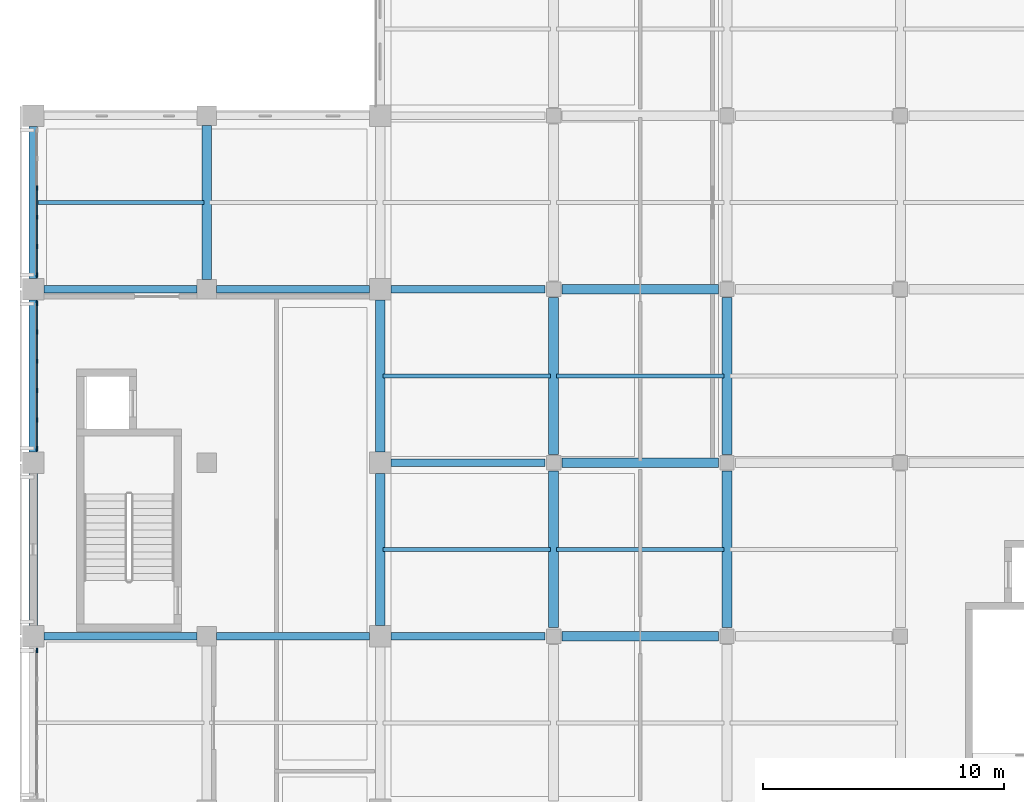
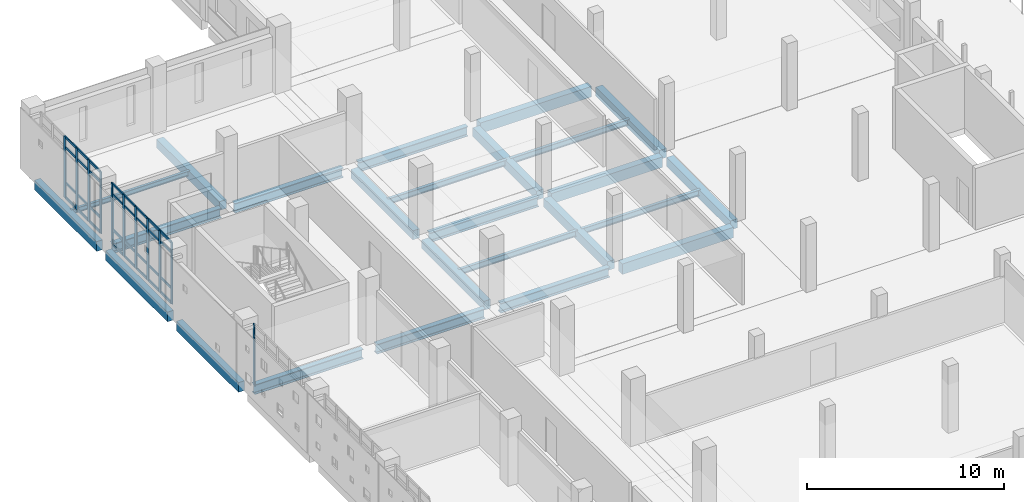
# One storey, part 23 of 62: 43 members, 25 beams, 3 elements without a shape of their own.
"""IFC4 building model written with IfcOpenShell, lengths in metres."""

import ifcopenshell
import ifcopenshell.guid

model = None  # the IFC model being written
_history = None  # IfcOwnerHistory: only IFC2X3 demands one
_inside = {}  # id of a spatial element -> (the spatial element, [elements in it])
_under = {}  # id of a project, library or spatial element -> (it, [spatial elements below it])
_declared = {}  # id of a project -> (the project, [libraries it declares])
_typed = {}  # id of a type object -> (the type object, [elements of that type])
_made_of = {}  # id of a material, layer set ... -> (it, [elements and type objects made of it])


def new_model(schema):
    """Start an empty IFC model of exactly this schema.

    Asked for "IFC4X3", IfcOpenShell would pick the latest addendum, in which some entities
    have other attributes; the version numbers below select the first issue.
    IFC2X3 requires an IfcOwnerHistory on every rooted entity: one is made here for all.
    """
    global model, _history
    if schema == "IFC4X3":
        model = ifcopenshell.file(schema_version=(4, 3, 0, 0))
    else:
        model = ifcopenshell.file(schema=schema)
    _inside.clear()
    _under.clear()
    _declared.clear()
    _typed.clear()
    _made_of.clear()
    _history = None
    if model.schema == "IFC2X3":
        org = make("IfcOrganization", Name="unknown")
        user = make(
            "IfcPersonAndOrganization",
            ThePerson=make("IfcPerson", FamilyName="unknown"),
            TheOrganization=org,
        )
        app = make(
            "IfcApplication",
            ApplicationDeveloper=org,
            Version="unknown",
            ApplicationFullName="unknown",
            ApplicationIdentifier="unknown",
        )
        _history = make(
            "IfcOwnerHistory",
            OwningUser=user,
            OwningApplication=app,
            ChangeAction="ADDED",
            CreationDate=0,
        )
    return model


def make(cls, **values):
    """One entity of the class cls with the attributes given. An attribute that is None is left unset."""
    return model.create_entity(
        cls, **{name: value for name, value in values.items() if value is not None}
    )


def rooted(cls, **values):
    """An entity with a GlobalId (a new one), such as an element, a storey or a relation."""
    return make(cls, GlobalId=ifcopenshell.guid.new(), OwnerHistory=_history, **values)


def si_unit(unit_type, name, prefix=None):
    """IfcSIUnit, for example si_unit("LENGTHUNIT", "METRE", prefix="MILLI")."""
    return make("IfcSIUnit", UnitType=unit_type, Prefix=prefix, Name=name)


def assignment(units):
    """IfcUnitAssignment: the units of a project."""
    return None if units is None else make("IfcUnitAssignment", Units=units)


def point(xyz):
    """IfcCartesianPoint."""
    return None if xyz is None else make("IfcCartesianPoint", Coordinates=xyz)


def direction(xyz):
    """IfcDirection."""
    return None if xyz is None else make("IfcDirection", DirectionRatios=xyz)


def frame(location, z_axis=None, x_axis=None):
    """IfcAxis2Placement3D, a coordinate frame: its origin and axes. An axis left out is left unset."""
    return make(
        "IfcAxis2Placement3D",
        Location=point(location),
        Axis=direction(z_axis),
        RefDirection=direction(x_axis),
    )


def frame_2d(location, x_axis=None):
    """IfcAxis2Placement2D, a coordinate frame in the plane: its origin and x axis."""
    return make(
        "IfcAxis2Placement2D", Location=point(location), RefDirection=direction(x_axis)
    )


def origin():
    """The frame at (0, 0, 0) with its axes left unset."""
    return frame((0.0, 0.0, 0.0))


def origin_2d():
    """The frame at (0, 0) in the plane with its x axis left unset."""
    return frame_2d((0.0, 0.0))


def place(relative_to, where):
    """IfcLocalPlacement: puts the frame where relative to a parent placement (None: the world)."""
    return make(
        "IfcLocalPlacement", PlacementRelTo=relative_to, RelativePlacement=where
    )


def context(
    kind, dimensions, precision=None, world=None, true_north=None, identifier=None
):
    """IfcGeometricRepresentationContext, for example the 3D "Model" context."""
    return make(
        "IfcGeometricRepresentationContext",
        ContextIdentifier=identifier,
        ContextType=kind,
        CoordinateSpaceDimension=dimensions,
        Precision=precision,
        WorldCoordinateSystem=world,
        TrueNorth=true_north,
    )


def subcontext(parent, identifier, kind, view, scale=None):
    """IfcGeometricRepresentationSubContext, for example "Body" below "Model"."""
    return make(
        "IfcGeometricRepresentationSubContext",
        ContextIdentifier=identifier,
        ContextType=kind,
        ParentContext=parent,
        TargetScale=scale,
        TargetView=view,
    )


def project(units=None, contexts=None):
    """IfcProject with its units and contexts."""
    return rooted(
        "IfcProject",
        Name="project",
        RepresentationContexts=contexts,
        UnitsInContext=assignment(units),
    )


def spatial(cls, under=None, at=None, **own):
    """A site, building, storey or space (cls), placed at a placement, below another one or the project."""
    s = rooted(cls, ObjectPlacement=at, **own)
    if under is not None:
        _under.setdefault(under.id(), (under, []))[1].append(s)
    return s


def profile(cls, at=None, kind="AREA", **sizes):
    """A parametric profile (cls). Its sizes go by their IFC names, for example OverallWidth=200.0."""
    return make(cls, ProfileType=kind, Position=at, **sizes)


def rectangle(**sizes):
    """IfcRectangleProfileDef."""
    return profile("IfcRectangleProfileDef", **sizes)


def i_section(**sizes):
    """IfcIShapeProfileDef."""
    return profile("IfcIShapeProfileDef", **sizes)


def extrude(swept, where, along, depth):
    """IfcExtrudedAreaSolid: the profile swept, set in the frame where, extruded along a direction by depth."""
    return make(
        "IfcExtrudedAreaSolid",
        SweptArea=swept,
        Position=where,
        ExtrudedDirection=direction(along),
        Depth=depth,
    )


def shape(context_of_items, identifier, shape_type, items):
    """IfcShapeRepresentation: the items that make up one representation, for example the "Body"."""
    return make(
        "IfcShapeRepresentation",
        ContextOfItems=context_of_items,
        RepresentationIdentifier=identifier,
        RepresentationType=shape_type,
        Items=items,
    )


def material(Name=None, Category=None):
    """IfcMaterial."""
    return make("IfcMaterial", Name=Name, Category=Category)


def layer(
    of_material, thickness, ventilated=None, Name=None, Category=None, Priority=None
):
    """IfcMaterialLayer: one layer of a wall or slab, of a material (None: an air gap)."""
    return make(
        "IfcMaterialLayer",
        Material=of_material,
        LayerThickness=thickness,
        IsVentilated=ventilated,
        Name=Name,
        Category=Category,
        Priority=Priority,
    )


def layer_set(layers, Name=None):
    """IfcMaterialLayerSet."""
    return make("IfcMaterialLayerSet", MaterialLayers=layers, LayerSetName=Name)


def material_profile(
    of_material, cross_section, Name=None, Category=None, Priority=None
):
    """IfcMaterialProfile: a cross section and its material."""
    return make(
        "IfcMaterialProfile",
        Name=Name,
        Material=of_material,
        Profile=cross_section,
        Priority=Priority,
        Category=Category,
    )


def profile_set(profiles, Name=None, composite=None):
    """IfcMaterialProfileSet."""
    return make(
        "IfcMaterialProfileSet",
        Name=Name,
        MaterialProfiles=profiles,
        CompositeProfile=composite,
    )


def made_of(thing, what):
    """Note that an element or type object is made of a material, layer set ...; save() writes the relation."""
    if what is not None:
        _made_of.setdefault(what.id(), (what, []))[1].append(thing)
    return thing


def type_object(cls, material=None, **own):
    """A type object (cls), such as IfcWallType, which elements share."""
    return made_of(rooted(cls, **own), material)


def element(
    cls,
    number,
    at=None,
    inside=None,
    cuts=None,
    type_object=None,
    material=None,
    context=None,
    identifier="Body",
    shape_type=None,
    held_by="IfcProductDefinitionShape",
    body=None,
    shapes=None,
    **own,
):
    """One element of the class cls, such as IfcWall. Its Tag is "e" and its number.

    at: its placement. inside: the storey or other place that contains it. cuts: it is an
    opening in that element (IfcRelVoidsElement). A single representation is given by context,
    identifier, shape_type and body (its items); several are given by shapes. held_by: the class
    of the entity that holds the representations. save() writes the other relations.
    """
    e = rooted(cls, Tag="e%d" % number, ObjectPlacement=at, **own)
    if body is not None:
        shapes = [shape(context, identifier, shape_type, body)]
    if shapes is not None:
        e.Representation = make(held_by, Representations=shapes)
    if inside is not None:
        _inside.setdefault(inside.id(), (inside, []))[1].append(e)
    if cuts is not None:
        rooted(
            "IfcRelVoidsElement", RelatingBuildingElement=cuts, RelatedOpeningElement=e
        )
    if type_object is not None:
        _typed.setdefault(type_object.id(), (type_object, []))[1].append(e)
    return made_of(e, material)


def aggregate(whole, parts):
    """IfcRelAggregates: a whole, such as a stair, and the parts it consists of."""
    return rooted("IfcRelAggregates", RelatingObject=whole, RelatedObjects=parts)


def save(model, path):
    """Write the relations noted so far, then the file.

    IfcRelAggregates (storeys below a building ...), IfcRelContainedInSpatialStructure (elements
    in a storey), IfcRelDefinesByType, IfcRelAssociatesMaterial and IfcRelDeclares: one each for
    every whole, place, type object, material and project.
    """
    for whole, parts in _under.values():
        aggregate(whole, parts)
    for where, things in _inside.values():
        rooted(
            "IfcRelContainedInSpatialStructure",
            RelatedElements=things,
            RelatingStructure=where,
        )
    for kind, things in _typed.values():
        rooted("IfcRelDefinesByType", RelatedObjects=things, RelatingType=kind)
    for what, things in _made_of.values():
        rooted("IfcRelAssociatesMaterial", RelatedObjects=things, RelatingMaterial=what)
    for by, libraries in _declared.values():
        rooted("IfcRelDeclares", RelatingContext=by, RelatedDefinitions=libraries)
    model.write(path)


model = new_model("IFC4")

# Units and contexts
model_context = context("Model", 3, precision=1e-05, world=origin(), true_north=direction((0.0, 1.0)))
body_context = subcontext(model_context, "Body", "Model", "MODEL_VIEW")
ifc_project = project(units=[si_unit("LENGTHUNIT", "METRE"), si_unit("AREAUNIT", "SQUARE_METRE"), si_unit("VOLUMEUNIT", "CUBIC_METRE"), si_unit("PLANEANGLEUNIT", "RADIAN"), si_unit("MASSUNIT", "GRAM", prefix="KILO")], contexts=[model_context])

# Site, building, storey
site_placement = place(None, origin())
site = spatial("IfcSite", under=ifc_project, at=site_placement, CompositionType="ELEMENT")
building_placement = place(site_placement, origin())
building = spatial("IfcBuilding", under=site, at=building_placement, Name="Valkovuoma Quantum and Materials Research Institute", CompositionType="ELEMENT")
storey_placement = place(building_placement, frame((0.0, 0.0, 13.1201171875)))
storey = spatial("IfcBuildingStorey", under=building, at=storey_placement, Name="L03", CompositionType="ELEMENT", Elevation=13.1201171875)

# Beams
ifc_material_1 = material(Name="Steel S355J2", Category="steel")
ifc_material_profile_1 = material_profile(ifc_material_1, i_section(OverallWidth=0.300048828125, OverallDepth=0.60009765625, WebThickness=0.015380859375, FlangeThickness=0.030029296875, FilletRadius=0.027099609375, at=origin_2d()), Name="Steel S355J2")
ifc_profile_set_1 = profile_set([ifc_material_profile_1], Name="Steel S355J2")
beam_type_1 = type_object("IfcBeamType", Name="Beam-B-HEB600", PredefinedType="BEAM", material=ifc_profile_set_1)
beam_1_placement = place(storey_placement, frame((0.449951171875, 72.0, -0.650146484375), z_axis=(1.0, 0.0, 0.0), x_axis=(0.0, 1.0, 0.0)))
element("IfcBeam", 1, at=beam_1_placement, inside=storey, type_object=beam_type_1, Name="L03 beam X-1501", PredefinedType="BEAM", context=body_context, shape_type="SweptSolid", body=[
    extrude(i_section(OverallWidth=0.300048828125, OverallDepth=0.60009765625, WebThickness=0.015380859375, FlangeThickness=0.030029296875, FilletRadius=0.027099609375, at=origin_2d()), origin(), (0.0, 0.0, 1.0), 6.35009765625),
])
beam_2_placement = place(storey_placement, frame((7.60009765625, 72.0, -0.650146484375), z_axis=(1.0, 0.0, 0.0), x_axis=(0.0, 1.0, 0.0)))
element("IfcBeam", 2, at=beam_2_placement, inside=storey, type_object=beam_type_1, Name="L03 beam X-1502", PredefinedType="BEAM", context=body_context, shape_type="SweptSolid", body=[
    extrude(i_section(OverallWidth=0.300048828125, OverallDepth=0.60009765625, WebThickness=0.015380859375, FlangeThickness=0.030029296875, FilletRadius=0.027099609375, at=origin_2d()), origin(), (0.0, 0.0, 1.0), 6.349853515625),
])
for number, where, z_axis, x_axis, name in (
    (3, (14.85009765625, 72.0, -0.650146484375), (1.0, 0.0, 0.0), (0.0, 1.0, 0.0), "L03 beam X-1503"),
    (4, (14.85009765625, 79.199951171875, -0.650146484375), (1.0, 0.0, 0.0), (0.0, 1.0, 0.0), "L03 beam X-1511"),
):
    element("IfcBeam", number, at=place(storey_placement, frame(where, z_axis=z_axis, x_axis=x_axis)), inside=storey, type_object=beam_type_1, Name=name, PredefinedType="BEAM", context=body_context, shape_type="SweptSolid", body=[
        extrude(i_section(OverallWidth=0.300048828125, OverallDepth=0.60009765625, WebThickness=0.015380859375, FlangeThickness=0.030029296875, FilletRadius=0.027099609375, at=origin_2d()), origin(), (0.0, 0.0, 1.0), 6.39990234375),
    ])
beam_3_placement = place(storey_placement, frame((0.449951171875, 86.39990234375, -0.650146484375), z_axis=(1.0, 0.0, 0.0), x_axis=(0.0, 1.0, 0.0)))
element("IfcBeam", 5, at=beam_3_placement, inside=storey, type_object=beam_type_1, Name="L03 beam X-1521", PredefinedType="BEAM", context=body_context, shape_type="SweptSolid", body=[
    extrude(i_section(OverallWidth=0.300048828125, OverallDepth=0.60009765625, WebThickness=0.015380859375, FlangeThickness=0.030029296875, FilletRadius=0.027099609375, at=origin_2d()), origin(), (0.0, 0.0, 1.0), 6.35009765625),
])
beam_4_placement = place(storey_placement, frame((7.60009765625, 86.39990234375, -0.650146484375), z_axis=(1.0, 0.0, 0.0), x_axis=(0.0, 1.0, 0.0)))
element("IfcBeam", 6, at=beam_4_placement, inside=storey, type_object=beam_type_1, Name="L03 beam X-1522", PredefinedType="BEAM", context=body_context, shape_type="SweptSolid", body=[
    extrude(i_section(OverallWidth=0.300048828125, OverallDepth=0.60009765625, WebThickness=0.015380859375, FlangeThickness=0.030029296875, FilletRadius=0.027099609375, at=origin_2d()), origin(), (0.0, 0.0, 1.0), 6.349853515625),
])
beam_5_placement = place(storey_placement, frame((14.85009765625, 86.39990234375, -0.650146484375), z_axis=(1.0, 0.0, 0.0), x_axis=(0.0, 1.0, 0.0)))
element("IfcBeam", 7, at=beam_5_placement, inside=storey, type_object=beam_type_1, Name="L03 beam X-1523", PredefinedType="BEAM", context=body_context, shape_type="SweptSolid", body=[
    extrude(i_section(OverallWidth=0.300048828125, OverallDepth=0.60009765625, WebThickness=0.015380859375, FlangeThickness=0.030029296875, FilletRadius=0.027099609375, at=origin_2d()), origin(), (0.0, 0.0, 1.0), 6.39990234375),
])
ifc_material_2 = material(Name="Steel S355J2", Category="steel")
ifc_material_profile_2 = material_profile(ifc_material_2, i_section(OverallWidth=0.14990234375, OverallDepth=0.300048828125, WebThickness=0.007080078125, FlangeThickness=0.0107421875, FilletRadius=0.014892578125, at=origin_2d()), Name="Steel S355J2")
ifc_profile_set_2 = profile_set([ifc_material_profile_2], Name="Steel S355J2")
beam_type_2 = type_object("IfcBeamType", Name="Beam-B-JST300", PredefinedType="JOIST", material=ifc_profile_set_2)
beam_6_placement = place(storey_placement, frame((0.1201171875, 90.0, -0.5), z_axis=(1.0, 0.0, 0.0), x_axis=(0.0, 1.0, 0.0)))
element("IfcBeam", 8, at=beam_6_placement, inside=storey, type_object=beam_type_2, Name="L03 floor joist 1777", PredefinedType="JOIST", context=body_context, shape_type="SweptSolid", body=[
    extrude(i_section(OverallWidth=0.14990234375, OverallDepth=0.300048828125, WebThickness=0.007080078125, FlangeThickness=0.0107421875, FilletRadius=0.014892578125, at=origin_2d()), origin(), (0.0, 0.0, 1.0), 6.9599609375),
])
ifc_material_3 = material(Name="Steel S355J2", Category="steel")
ifc_material_profile_3 = material_profile(ifc_material_3, i_section(OverallWidth=0.169921875, OverallDepth=0.360107421875, WebThickness=0.008056640625, FlangeThickness=0.0126953125, FilletRadius=0.01806640625, at=origin_2d()), Name="Steel S355J2")
ifc_profile_set_3 = profile_set([ifc_material_profile_3], Name="Steel S355J2")
beam_type_3 = type_object("IfcBeamType", Name="Beam-B-JST360", PredefinedType="JOIST", material=ifc_profile_set_3)
for number, where, z_axis, x_axis, name in (
    (9, (14.52001953125, 75.60009765625, -0.530029296875), (1.0, 0.0, 0.0), (0.0, 1.0, 0.0), "L03 floor joist 1759"),
    (10, (21.719970703125, 75.60009765625, -0.530029296875), (1.0, 0.0, 0.0), (0.0, 1.0, 0.0), "L03 floor joist 1760"),
    (11, (14.52001953125, 82.800048828125, -0.530029296875), (1.0, 0.0, 0.0), (0.0, 1.0, 0.0), "L03 floor joist 1767"),
    (12, (21.719970703125, 82.800048828125, -0.530029296875), (1.0, 0.0, 0.0), (0.0, 1.0, 0.0), "L03 floor joist 1768"),
):
    element("IfcBeam", number, at=place(storey_placement, frame(where, z_axis=z_axis, x_axis=x_axis)), inside=storey, type_object=beam_type_3, Name=name, PredefinedType="JOIST", context=body_context, shape_type="SweptSolid", body=[
        extrude(i_section(OverallWidth=0.169921875, OverallDepth=0.360107421875, WebThickness=0.008056640625, FlangeThickness=0.0126953125, FilletRadius=0.01806640625, at=origin_2d()), origin(), (0.0, 0.0, 1.0), 6.9599609375),
    ])
ifc_material_4 = material(Name="Concrete C40/50", Category="concrete")
ifc_material_profile_4 = material_profile(ifc_material_4, rectangle(XDim=0.39990234375, YDim=0.550048828125, at=origin_2d()), Name="Concrete C40/50")
ifc_profile_set_4 = profile_set([ifc_material_profile_4], Name="Concrete C40/50")
beam_type_4 = type_object("IfcBeamType", Name="Beam-B-RC550", PredefinedType="BEAM", material=ifc_profile_set_4)
beam_7_placement = place(storey_placement, frame((7.199951171875, 86.800048828125, -0.625), z_axis=(0.0, 1.0, 0.0), x_axis=(-1.0, 0.0, 0.0)))
element("IfcBeam", 13, at=beam_7_placement, inside=storey, type_object=beam_type_4, Name="L03 beam Y-1577", PredefinedType="BEAM", context=body_context, shape_type="SweptSolid", body=[
    extrude(rectangle(XDim=0.39990234375, YDim=0.550048828125, at=origin_2d()), origin(), (0.0, 0.0, 1.0), 6.39990234375),
])
for number, where, z_axis, x_axis, name in (
    (14, (14.39990234375, 72.449951171875, -0.625), (0.0, 1.0, 0.0), (-1.0, 0.0, 0.0), "L03 beam Y-1580"),
    (15, (14.39990234375, 79.64990234375, -0.625), (0.0, 1.0, 0.0), (-1.0, 0.0, 0.0), "L03 beam Y-1581"),
):
    element("IfcBeam", number, at=place(storey_placement, frame(where, z_axis=z_axis, x_axis=x_axis)), inside=storey, type_object=beam_type_4, Name=name, PredefinedType="BEAM", context=body_context, shape_type="SweptSolid", body=[
        extrude(rectangle(XDim=0.39990234375, YDim=0.550048828125, at=origin_2d()), origin(), (0.0, 0.0, 1.0), 6.300048828125),
    ])
for number, where, z_axis, x_axis, name in (
    (16, (21.60009765625, 72.35009765625, -0.625), (0.0, 1.0, 0.0), (-1.0, 0.0, 0.0), "L03 beam Y-1590"),
    (17, (21.60009765625, 79.550048828125, -0.625), (0.0, 1.0, 0.0), (-1.0, 0.0, 0.0), "L03 beam Y-1591"),
    (18, (28.800048828125, 72.35009765625, -0.625), (0.0, 1.0, 0.0), (-1.0, 0.0, 0.0), "L03 beam Y-1600"),
    (19, (28.800048828125, 79.550048828125, -0.625), (0.0, 1.0, 0.0), (-1.0, 0.0, 0.0), "L03 beam Y-1601"),
):
    element("IfcBeam", number, at=place(storey_placement, frame(where, z_axis=z_axis, x_axis=x_axis)), inside=storey, type_object=beam_type_4, Name=name, PredefinedType="BEAM", context=body_context, shape_type="SweptSolid", body=[
        extrude(rectangle(XDim=0.39990234375, YDim=0.550048828125, at=origin_2d()), origin(), (0.0, 0.0, 1.0), 6.5),
    ])
ifc_material_5 = material(Name="Concrete C40/50", Category="concrete")
ifc_material_profile_5 = material_profile(ifc_material_5, rectangle(XDim=0.39990234375, YDim=0.64990234375, at=origin_2d()), Name="Concrete C40/50")
ifc_profile_set_5 = profile_set([ifc_material_profile_5], Name="Concrete C40/50")
beam_type_5 = type_object("IfcBeamType", Name="Beam-B-RC650", PredefinedType="BEAM", material=ifc_profile_set_5)
for number, where, z_axis, x_axis, name in (
    (20, (21.949951171875, 72.0, -0.675048828125), (1.0, 0.0, 0.0), (0.0, 1.0, 0.0), "L03 beam X-1504"),
    (21, (21.949951171875, 79.199951171875, -0.675048828125), (1.0, 0.0, 0.0), (0.0, 1.0, 0.0), "L03 beam X-1512"),
    (22, (21.949951171875, 86.39990234375, -0.675048828125), (1.0, 0.0, 0.0), (0.0, 1.0, 0.0), "L03 beam X-1524"),
):
    element("IfcBeam", number, at=place(storey_placement, frame(where, z_axis=z_axis, x_axis=x_axis)), inside=storey, type_object=beam_type_5, Name=name, PredefinedType="BEAM", context=body_context, shape_type="SweptSolid", body=[
        extrude(rectangle(XDim=0.39990234375, YDim=0.64990234375, at=origin_2d()), origin(), (0.0, 0.0, 1.0), 6.5),
    ])
ifc_material_6 = material(Name="Concrete C40/50", Category="concrete")
ifc_material_profile_6 = material_profile(ifc_material_6, rectangle(XDim=0.35009765625, YDim=0.60009765625, at=origin_2d()), Name="Concrete C40/50")
ifc_profile_set_6 = profile_set([ifc_material_profile_6], Name="Concrete C40/50")
beam_type_6 = type_object("IfcBeamType", Name="Beam-B-SPN600", PredefinedType="SPANDREL", material=ifc_profile_set_6)
for number, where, z_axis, x_axis, name in (
    (23, (0.0, 72.449951171875, -0.650146484375), (0.0, 1.0, 0.0), (-1.0, 0.0, 0.0), "L03 beam Y-1572"),
    (24, (0.0, 79.64990234375, -0.650146484375), (0.0, 1.0, 0.0), (-1.0, 0.0, 0.0), "L03 beam Y-1573"),
):
    element("IfcBeam", number, at=place(storey_placement, frame(where, z_axis=z_axis, x_axis=x_axis)), inside=storey, type_object=beam_type_6, Name=name, PredefinedType="SPANDREL", context=body_context, shape_type="SweptSolid", body=[
        extrude(rectangle(XDim=0.35009765625, YDim=0.60009765625, at=origin_2d()), origin(), (0.0, 0.0, 1.0), 6.300048828125),
    ])
beam_8_placement = place(storey_placement, frame((0.0, 86.85009765625, -0.650146484375), z_axis=(0.0, 1.0, 0.0), x_axis=(-1.0, 0.0, 0.0)))
element("IfcBeam", 25, at=beam_8_placement, inside=storey, type_object=beam_type_6, Name="L03 beam Y-1574", PredefinedType="SPANDREL", context=body_context, shape_type="SweptSolid", body=[
    extrude(rectangle(XDim=0.35009765625, YDim=0.60009765625, at=origin_2d()), origin(), (0.0, 0.0, 1.0), 6.2998046875),
])

# Curtain wall, member
ifc_material_7 = material(Name="Thermally broken aluminium and triple low-E glazing", Category="aluminium")
ifc_layer = layer(ifc_material_7, 0.219970703125)
ifc_layer_set = layer_set([ifc_layer], Name="Thermally broken aluminium and triple low-E glazing")
curtain_wall_type = type_object("IfcCurtainWallType", Name="CW-CW-01", PredefinedType="NOTDEFINED", material=ifc_layer_set)
curtain_wall_1_placement = place(storey_placement, origin())
curtain_wall_1 = element("IfcCurtainWall", 26, at=curtain_wall_1_placement, inside=storey, type_object=curtain_wall_type, Name="L03 curtain wall 035", PredefinedType="NOTDEFINED")
ifc_material_8 = material(Name="Anodised aluminium 6060-T66", Category="aluminium")
ifc_material_profile_7 = material_profile(ifc_material_8, rectangle(XDim=0.06494140625, YDim=0.179931640625, at=origin_2d()), Name="Anodised aluminium 6060-T66")
ifc_profile_set_7 = profile_set([ifc_material_profile_7], Name="Anodised aluminium 6060-T66")
member_type_1 = type_object("IfcMemberType", Name="CWMull-CWM-01", PredefinedType="MULLION", material=ifc_profile_set_7)
member_1_placement = place(storey_placement, frame((0.14990234375, 71.410400390625, 0.0), z_axis=(0.0, 0.0, 1.0), x_axis=(-1.0, 0.0, 0.0)))
member_1 = element("IfcMember", 27, at=member_1_placement, type_object=member_type_1, Name="CW-01 mullion 6", PredefinedType="MULLION", context=body_context, shape_type="SweptSolid", body=[
    extrude(rectangle(XDim=0.06494140625, YDim=0.179931640625, at=origin_2d()), origin(), (0.0, 0.0, 1.0), 3.809814453125),
])
aggregate(curtain_wall_1, [member_1])

# Curtain wall, members
curtain_wall_2_placement = place(storey_placement, origin())
curtain_wall_2 = element("IfcCurtainWall", 28, at=curtain_wall_2_placement, inside=storey, type_object=curtain_wall_type, Name="L03 curtain wall 036", PredefinedType="NOTDEFINED")
member_2_placement = place(storey_placement, frame((0.14990234375, 79.78955078125, 0.0), z_axis=(0.0, 0.0, 1.0), x_axis=(-1.0, 0.0, 0.0)))
member_2 = element("IfcMember", 29, at=member_2_placement, type_object=member_type_1, Name="CW-01 mullion 1", PredefinedType="MULLION", context=body_context, shape_type="SweptSolid", body=[
    extrude(rectangle(XDim=0.06494140625, YDim=0.179931640625, at=origin_2d()), origin(), (0.0, 0.0, 1.0), 3.809814453125),
])
member_3_placement = place(storey_placement, frame((0.14990234375, 80.974365234375, 0.0), z_axis=(0.0, 0.0, 1.0), x_axis=(-1.0, 0.0, 0.0)))
member_3 = element("IfcMember", 30, at=member_3_placement, type_object=member_type_1, Name="CW-01 mullion 2", PredefinedType="MULLION", context=body_context, shape_type="SweptSolid", body=[
    extrude(rectangle(XDim=0.06494140625, YDim=0.179931640625, at=origin_2d()), origin(), (0.0, 0.0, 1.0), 3.809814453125),
])
member_4_placement = place(storey_placement, frame((0.14990234375, 82.19140625, 0.0), z_axis=(0.0, 0.0, 1.0), x_axis=(-1.0, 0.0, 0.0)))
member_4 = element("IfcMember", 31, at=member_4_placement, type_object=member_type_1, Name="CW-01 mullion 3", PredefinedType="MULLION", context=body_context, shape_type="SweptSolid", body=[
    extrude(rectangle(XDim=0.06494140625, YDim=0.179931640625, at=origin_2d()), origin(), (0.0, 0.0, 1.0), 3.809814453125),
])
member_5_placement = place(storey_placement, frame((0.14990234375, 83.40869140625, 0.0), z_axis=(0.0, 0.0, 1.0), x_axis=(-1.0, 0.0, 0.0)))
member_5 = element("IfcMember", 32, at=member_5_placement, type_object=member_type_1, Name="CW-01 mullion 4", PredefinedType="MULLION", context=body_context, shape_type="SweptSolid", body=[
    extrude(rectangle(XDim=0.06494140625, YDim=0.179931640625, at=origin_2d()), origin(), (0.0, 0.0, 1.0), 3.809814453125),
])
member_6_placement = place(storey_placement, frame((0.14990234375, 84.625732421875, 0.0), z_axis=(0.0, 0.0, 1.0), x_axis=(-1.0, 0.0, 0.0)))
member_6 = element("IfcMember", 33, at=member_6_placement, type_object=member_type_1, Name="CW-01 mullion 5", PredefinedType="MULLION", context=body_context, shape_type="SweptSolid", body=[
    extrude(rectangle(XDim=0.06494140625, YDim=0.179931640625, at=origin_2d()), origin(), (0.0, 0.0, 1.0), 3.809814453125),
])
member_7_placement = place(storey_placement, frame((0.14990234375, 85.810302734375, 0.0), z_axis=(0.0, 0.0, 1.0), x_axis=(-1.0, 0.0, 0.0)))
member_7 = element("IfcMember", 34, at=member_7_placement, type_object=member_type_1, Name="CW-01 mullion 6", PredefinedType="MULLION", context=body_context, shape_type="SweptSolid", body=[
    extrude(rectangle(XDim=0.06494140625, YDim=0.179931640625, at=origin_2d()), origin(), (0.0, 0.0, 1.0), 3.809814453125),
])

curtain_wall_3_placement = place(storey_placement, origin())
curtain_wall_3 = element("IfcCurtainWall", 35, at=curtain_wall_3_placement, inside=storey, type_object=curtain_wall_type, Name="L03 curtain wall 037", PredefinedType="NOTDEFINED")
member_8_placement = place(storey_placement, frame((0.14990234375, 86.989501953125, 0.0), z_axis=(0.0, 0.0, 1.0), x_axis=(-1.0, 0.0, 0.0)))
member_8 = element("IfcMember", 36, at=member_8_placement, type_object=member_type_1, Name="CW-01 mullion 1", PredefinedType="MULLION", context=body_context, shape_type="SweptSolid", body=[
    extrude(rectangle(XDim=0.06494140625, YDim=0.179931640625, at=origin_2d()), origin(), (0.0, 0.0, 1.0), 3.809814453125),
])
member_9_placement = place(storey_placement, frame((0.14990234375, 88.17431640625, 0.0), z_axis=(0.0, 0.0, 1.0), x_axis=(-1.0, 0.0, 0.0)))
member_9 = element("IfcMember", 37, at=member_9_placement, type_object=member_type_1, Name="CW-01 mullion 2", PredefinedType="MULLION", context=body_context, shape_type="SweptSolid", body=[
    extrude(rectangle(XDim=0.06494140625, YDim=0.179931640625, at=origin_2d()), origin(), (0.0, 0.0, 1.0), 3.809814453125),
])
member_10_placement = place(storey_placement, frame((0.14990234375, 89.391357421875, 0.0), z_axis=(0.0, 0.0, 1.0), x_axis=(-1.0, 0.0, 0.0)))
member_10 = element("IfcMember", 38, at=member_10_placement, type_object=member_type_1, Name="CW-01 mullion 3", PredefinedType="MULLION", context=body_context, shape_type="SweptSolid", body=[
    extrude(rectangle(XDim=0.06494140625, YDim=0.179931640625, at=origin_2d()), origin(), (0.0, 0.0, 1.0), 3.809814453125),
])
member_11_placement = place(storey_placement, frame((0.14990234375, 90.608642578125, 0.0), z_axis=(0.0, 0.0, 1.0), x_axis=(-1.0, 0.0, 0.0)))
member_11 = element("IfcMember", 39, at=member_11_placement, type_object=member_type_1, Name="CW-01 mullion 4", PredefinedType="MULLION", context=body_context, shape_type="SweptSolid", body=[
    extrude(rectangle(XDim=0.06494140625, YDim=0.179931640625, at=origin_2d()), origin(), (0.0, 0.0, 1.0), 3.809814453125),
])

# Member
ifc_material_9 = material(Name="Anodised aluminium 6060-T66", Category="aluminium")
ifc_material_profile_8 = material_profile(ifc_material_9, rectangle(XDim=0.06494140625, YDim=0.139892578125, at=origin_2d()), Name="Anodised aluminium 6060-T66")
ifc_profile_set_8 = profile_set([ifc_material_profile_8], Name="Anodised aluminium 6060-T66")
member_type_2 = type_object("IfcMemberType", Name="CWTran-CWT-01", PredefinedType="USERDEFINED", material=ifc_profile_set_8)
member_12_placement = place(storey_placement, frame((0.14990234375, 79.822021484375, 0.032470703125), z_axis=(0.0, 1.0, 0.0), x_axis=(-1.0, 0.0, 0.0)))
member_12 = element("IfcMember", 40, at=member_12_placement, type_object=member_type_2, Name="CW-01 transom 1.1", ObjectType="TRANSOM", PredefinedType="USERDEFINED", context=body_context, shape_type="SweptSolid", body=[
    extrude(rectangle(XDim=0.06494140625, YDim=0.139892578125, at=origin_2d()), origin(), (0.0, 0.0, 1.0), 1.11962890625),
])

member_13_placement = place(storey_placement, frame((0.14990234375, 79.822021484375, 0.949951171875), z_axis=(0.0, 1.0, 0.0), x_axis=(-1.0, 0.0, 0.0)))
member_13 = element("IfcMember", 41, at=member_13_placement, type_object=member_type_2, Name="CW-01 transom 1.2", ObjectType="TRANSOM", PredefinedType="USERDEFINED", context=body_context, shape_type="SweptSolid", body=[
    extrude(rectangle(XDim=0.06494140625, YDim=0.139892578125, at=origin_2d()), origin(), (0.0, 0.0, 1.0), 1.11962890625),
])

member_14_placement = place(storey_placement, frame((0.14990234375, 79.822021484375, 3.159912109375), z_axis=(0.0, 1.0, 0.0), x_axis=(-1.0, 0.0, 0.0)))
member_14 = element("IfcMember", 42, at=member_14_placement, type_object=member_type_2, Name="CW-01 transom 1.3", ObjectType="TRANSOM", PredefinedType="USERDEFINED", context=body_context, shape_type="SweptSolid", body=[
    extrude(rectangle(XDim=0.06494140625, YDim=0.139892578125, at=origin_2d()), origin(), (0.0, 0.0, 1.0), 1.11962890625),
])

member_15_placement = place(storey_placement, frame((0.14990234375, 79.822021484375, 3.77734375), z_axis=(0.0, 1.0, 0.0), x_axis=(-1.0, 0.0, 0.0)))
member_15 = element("IfcMember", 43, at=member_15_placement, type_object=member_type_2, Name="CW-01 transom 1.4", ObjectType="TRANSOM", PredefinedType="USERDEFINED", context=body_context, shape_type="SweptSolid", body=[
    extrude(rectangle(XDim=0.06494140625, YDim=0.139892578125, at=origin_2d()), origin(), (0.0, 0.0, 1.0), 1.11962890625),
])

member_16_placement = place(storey_placement, frame((0.14990234375, 81.0068359375, 0.032470703125), z_axis=(0.0, 1.0, 0.0), x_axis=(-1.0, 0.0, 0.0)))
member_16 = element("IfcMember", 44, at=member_16_placement, type_object=member_type_2, Name="CW-01 transom 2.1", ObjectType="TRANSOM", PredefinedType="USERDEFINED", context=body_context, shape_type="SweptSolid", body=[
    extrude(rectangle(XDim=0.06494140625, YDim=0.139892578125, at=origin_2d()), origin(), (0.0, 0.0, 1.0), 1.152099609375),
])

member_17_placement = place(storey_placement, frame((0.14990234375, 81.0068359375, 0.949951171875), z_axis=(0.0, 1.0, 0.0), x_axis=(-1.0, 0.0, 0.0)))
member_17 = element("IfcMember", 45, at=member_17_placement, type_object=member_type_2, Name="CW-01 transom 2.2", ObjectType="TRANSOM", PredefinedType="USERDEFINED", context=body_context, shape_type="SweptSolid", body=[
    extrude(rectangle(XDim=0.06494140625, YDim=0.139892578125, at=origin_2d()), origin(), (0.0, 0.0, 1.0), 1.152099609375),
])

member_18_placement = place(storey_placement, frame((0.14990234375, 81.0068359375, 3.159912109375), z_axis=(0.0, 1.0, 0.0), x_axis=(-1.0, 0.0, 0.0)))
member_18 = element("IfcMember", 46, at=member_18_placement, type_object=member_type_2, Name="CW-01 transom 2.3", ObjectType="TRANSOM", PredefinedType="USERDEFINED", context=body_context, shape_type="SweptSolid", body=[
    extrude(rectangle(XDim=0.06494140625, YDim=0.139892578125, at=origin_2d()), origin(), (0.0, 0.0, 1.0), 1.152099609375),
])

member_19_placement = place(storey_placement, frame((0.14990234375, 81.0068359375, 3.77734375), z_axis=(0.0, 1.0, 0.0), x_axis=(-1.0, 0.0, 0.0)))
member_19 = element("IfcMember", 47, at=member_19_placement, type_object=member_type_2, Name="CW-01 transom 2.4", ObjectType="TRANSOM", PredefinedType="USERDEFINED", context=body_context, shape_type="SweptSolid", body=[
    extrude(rectangle(XDim=0.06494140625, YDim=0.139892578125, at=origin_2d()), origin(), (0.0, 0.0, 1.0), 1.152099609375),
])

member_20_placement = place(storey_placement, frame((0.14990234375, 82.223876953125, 0.032470703125), z_axis=(0.0, 1.0, 0.0), x_axis=(-1.0, 0.0, 0.0)))
member_20 = element("IfcMember", 48, at=member_20_placement, type_object=member_type_2, Name="CW-01 transom 3.1", ObjectType="TRANSOM", PredefinedType="USERDEFINED", context=body_context, shape_type="SweptSolid", body=[
    extrude(rectangle(XDim=0.06494140625, YDim=0.139892578125, at=origin_2d()), origin(), (0.0, 0.0, 1.0), 1.152099609375),
])

member_21_placement = place(storey_placement, frame((0.14990234375, 82.223876953125, 0.949951171875), z_axis=(0.0, 1.0, 0.0), x_axis=(-1.0, 0.0, 0.0)))
member_21 = element("IfcMember", 49, at=member_21_placement, type_object=member_type_2, Name="CW-01 transom 3.2", ObjectType="TRANSOM", PredefinedType="USERDEFINED", context=body_context, shape_type="SweptSolid", body=[
    extrude(rectangle(XDim=0.06494140625, YDim=0.139892578125, at=origin_2d()), origin(), (0.0, 0.0, 1.0), 1.152099609375),
])

member_22_placement = place(storey_placement, frame((0.14990234375, 82.223876953125, 3.159912109375), z_axis=(0.0, 1.0, 0.0), x_axis=(-1.0, 0.0, 0.0)))
member_22 = element("IfcMember", 50, at=member_22_placement, type_object=member_type_2, Name="CW-01 transom 3.3", ObjectType="TRANSOM", PredefinedType="USERDEFINED", context=body_context, shape_type="SweptSolid", body=[
    extrude(rectangle(XDim=0.06494140625, YDim=0.139892578125, at=origin_2d()), origin(), (0.0, 0.0, 1.0), 1.152099609375),
])

member_23_placement = place(storey_placement, frame((0.14990234375, 82.223876953125, 3.77734375), z_axis=(0.0, 1.0, 0.0), x_axis=(-1.0, 0.0, 0.0)))
member_23 = element("IfcMember", 51, at=member_23_placement, type_object=member_type_2, Name="CW-01 transom 3.4", ObjectType="TRANSOM", PredefinedType="USERDEFINED", context=body_context, shape_type="SweptSolid", body=[
    extrude(rectangle(XDim=0.06494140625, YDim=0.139892578125, at=origin_2d()), origin(), (0.0, 0.0, 1.0), 1.152099609375),
])

member_24_placement = place(storey_placement, frame((0.14990234375, 83.441162109375, 0.032470703125), z_axis=(0.0, 1.0, 0.0), x_axis=(-1.0, 0.0, 0.0)))
member_24 = element("IfcMember", 52, at=member_24_placement, type_object=member_type_2, Name="CW-01 transom 4.1", ObjectType="TRANSOM", PredefinedType="USERDEFINED", context=body_context, shape_type="SweptSolid", body=[
    extrude(rectangle(XDim=0.06494140625, YDim=0.139892578125, at=origin_2d()), origin(), (0.0, 0.0, 1.0), 1.152099609375),
])

member_25_placement = place(storey_placement, frame((0.14990234375, 83.441162109375, 0.949951171875), z_axis=(0.0, 1.0, 0.0), x_axis=(-1.0, 0.0, 0.0)))
member_25 = element("IfcMember", 53, at=member_25_placement, type_object=member_type_2, Name="CW-01 transom 4.2", ObjectType="TRANSOM", PredefinedType="USERDEFINED", context=body_context, shape_type="SweptSolid", body=[
    extrude(rectangle(XDim=0.06494140625, YDim=0.139892578125, at=origin_2d()), origin(), (0.0, 0.0, 1.0), 1.152099609375),
])

member_26_placement = place(storey_placement, frame((0.14990234375, 83.441162109375, 3.159912109375), z_axis=(0.0, 1.0, 0.0), x_axis=(-1.0, 0.0, 0.0)))
member_26 = element("IfcMember", 54, at=member_26_placement, type_object=member_type_2, Name="CW-01 transom 4.3", ObjectType="TRANSOM", PredefinedType="USERDEFINED", context=body_context, shape_type="SweptSolid", body=[
    extrude(rectangle(XDim=0.06494140625, YDim=0.139892578125, at=origin_2d()), origin(), (0.0, 0.0, 1.0), 1.152099609375),
])

member_27_placement = place(storey_placement, frame((0.14990234375, 83.441162109375, 3.77734375), z_axis=(0.0, 1.0, 0.0), x_axis=(-1.0, 0.0, 0.0)))
member_27 = element("IfcMember", 55, at=member_27_placement, type_object=member_type_2, Name="CW-01 transom 4.4", ObjectType="TRANSOM", PredefinedType="USERDEFINED", context=body_context, shape_type="SweptSolid", body=[
    extrude(rectangle(XDim=0.06494140625, YDim=0.139892578125, at=origin_2d()), origin(), (0.0, 0.0, 1.0), 1.152099609375),
])

member_28_placement = place(storey_placement, frame((0.14990234375, 84.658203125, 0.032470703125), z_axis=(0.0, 1.0, 0.0), x_axis=(-1.0, 0.0, 0.0)))
member_28 = element("IfcMember", 56, at=member_28_placement, type_object=member_type_2, Name="CW-01 transom 5.1", ObjectType="TRANSOM", PredefinedType="USERDEFINED", context=body_context, shape_type="SweptSolid", body=[
    extrude(rectangle(XDim=0.06494140625, YDim=0.139892578125, at=origin_2d()), origin(), (0.0, 0.0, 1.0), 1.11962890625),
])

member_29_placement = place(storey_placement, frame((0.14990234375, 84.658203125, 0.949951171875), z_axis=(0.0, 1.0, 0.0), x_axis=(-1.0, 0.0, 0.0)))
member_29 = element("IfcMember", 57, at=member_29_placement, type_object=member_type_2, Name="CW-01 transom 5.2", ObjectType="TRANSOM", PredefinedType="USERDEFINED", context=body_context, shape_type="SweptSolid", body=[
    extrude(rectangle(XDim=0.06494140625, YDim=0.139892578125, at=origin_2d()), origin(), (0.0, 0.0, 1.0), 1.11962890625),
])

member_30_placement = place(storey_placement, frame((0.14990234375, 84.658203125, 3.159912109375), z_axis=(0.0, 1.0, 0.0), x_axis=(-1.0, 0.0, 0.0)))
member_30 = element("IfcMember", 58, at=member_30_placement, type_object=member_type_2, Name="CW-01 transom 5.3", ObjectType="TRANSOM", PredefinedType="USERDEFINED", context=body_context, shape_type="SweptSolid", body=[
    extrude(rectangle(XDim=0.06494140625, YDim=0.139892578125, at=origin_2d()), origin(), (0.0, 0.0, 1.0), 1.11962890625),
])

member_31_placement = place(storey_placement, frame((0.14990234375, 84.658203125, 3.77734375), z_axis=(0.0, 1.0, 0.0), x_axis=(-1.0, 0.0, 0.0)))
member_31 = element("IfcMember", 59, at=member_31_placement, type_object=member_type_2, Name="CW-01 transom 5.4", ObjectType="TRANSOM", PredefinedType="USERDEFINED", context=body_context, shape_type="SweptSolid", body=[
    extrude(rectangle(XDim=0.06494140625, YDim=0.139892578125, at=origin_2d()), origin(), (0.0, 0.0, 1.0), 1.11962890625),
])

aggregate(curtain_wall_2, [member_2, member_3, member_4, member_5, member_6, member_7, member_12, member_13, member_14, member_15, member_16, member_17, member_18, member_19, member_20, member_21, member_22, member_23, member_24, member_25, member_26, member_27, member_28, member_29, member_30, member_31])

member_32_placement = place(storey_placement, frame((0.14990234375, 87.022216796875, 0.032470703125), z_axis=(0.0, 1.0, 0.0), x_axis=(-1.0, 0.0, 0.0)))
member_32 = element("IfcMember", 60, at=member_32_placement, type_object=member_type_2, Name="CW-01 transom 1.1", ObjectType="TRANSOM", PredefinedType="USERDEFINED", context=body_context, shape_type="SweptSolid", body=[
    extrude(rectangle(XDim=0.06494140625, YDim=0.139892578125, at=origin_2d()), origin(), (0.0, 0.0, 1.0), 1.11962890625),
])

member_33_placement = place(storey_placement, frame((0.14990234375, 87.022216796875, 0.949951171875), z_axis=(0.0, 1.0, 0.0), x_axis=(-1.0, 0.0, 0.0)))
member_33 = element("IfcMember", 61, at=member_33_placement, type_object=member_type_2, Name="CW-01 transom 1.2", ObjectType="TRANSOM", PredefinedType="USERDEFINED", context=body_context, shape_type="SweptSolid", body=[
    extrude(rectangle(XDim=0.06494140625, YDim=0.139892578125, at=origin_2d()), origin(), (0.0, 0.0, 1.0), 1.11962890625),
])

member_34_placement = place(storey_placement, frame((0.14990234375, 87.022216796875, 3.159912109375), z_axis=(0.0, 1.0, 0.0), x_axis=(-1.0, 0.0, 0.0)))
member_34 = element("IfcMember", 62, at=member_34_placement, type_object=member_type_2, Name="CW-01 transom 1.3", ObjectType="TRANSOM", PredefinedType="USERDEFINED", context=body_context, shape_type="SweptSolid", body=[
    extrude(rectangle(XDim=0.06494140625, YDim=0.139892578125, at=origin_2d()), origin(), (0.0, 0.0, 1.0), 1.11962890625),
])

member_35_placement = place(storey_placement, frame((0.14990234375, 87.022216796875, 3.77734375), z_axis=(0.0, 1.0, 0.0), x_axis=(-1.0, 0.0, 0.0)))
member_35 = element("IfcMember", 63, at=member_35_placement, type_object=member_type_2, Name="CW-01 transom 1.4", ObjectType="TRANSOM", PredefinedType="USERDEFINED", context=body_context, shape_type="SweptSolid", body=[
    extrude(rectangle(XDim=0.06494140625, YDim=0.139892578125, at=origin_2d()), origin(), (0.0, 0.0, 1.0), 1.11962890625),
])

member_36_placement = place(storey_placement, frame((0.14990234375, 88.206787109375, 0.032470703125), z_axis=(0.0, 1.0, 0.0), x_axis=(-1.0, 0.0, 0.0)))
member_36 = element("IfcMember", 64, at=member_36_placement, type_object=member_type_2, Name="CW-01 transom 2.1", ObjectType="TRANSOM", PredefinedType="USERDEFINED", context=body_context, shape_type="SweptSolid", body=[
    extrude(rectangle(XDim=0.06494140625, YDim=0.139892578125, at=origin_2d()), origin(), (0.0, 0.0, 1.0), 1.152099609375),
])

member_37_placement = place(storey_placement, frame((0.14990234375, 88.206787109375, 0.949951171875), z_axis=(0.0, 1.0, 0.0), x_axis=(-1.0, 0.0, 0.0)))
member_37 = element("IfcMember", 65, at=member_37_placement, type_object=member_type_2, Name="CW-01 transom 2.2", ObjectType="TRANSOM", PredefinedType="USERDEFINED", context=body_context, shape_type="SweptSolid", body=[
    extrude(rectangle(XDim=0.06494140625, YDim=0.139892578125, at=origin_2d()), origin(), (0.0, 0.0, 1.0), 1.152099609375),
])

member_38_placement = place(storey_placement, frame((0.14990234375, 88.206787109375, 3.159912109375), z_axis=(0.0, 1.0, 0.0), x_axis=(-1.0, 0.0, 0.0)))
member_38 = element("IfcMember", 66, at=member_38_placement, type_object=member_type_2, Name="CW-01 transom 2.3", ObjectType="TRANSOM", PredefinedType="USERDEFINED", context=body_context, shape_type="SweptSolid", body=[
    extrude(rectangle(XDim=0.06494140625, YDim=0.139892578125, at=origin_2d()), origin(), (0.0, 0.0, 1.0), 1.152099609375),
])

member_39_placement = place(storey_placement, frame((0.14990234375, 88.206787109375, 3.77734375), z_axis=(0.0, 1.0, 0.0), x_axis=(-1.0, 0.0, 0.0)))
member_39 = element("IfcMember", 67, at=member_39_placement, type_object=member_type_2, Name="CW-01 transom 2.4", ObjectType="TRANSOM", PredefinedType="USERDEFINED", context=body_context, shape_type="SweptSolid", body=[
    extrude(rectangle(XDim=0.06494140625, YDim=0.139892578125, at=origin_2d()), origin(), (0.0, 0.0, 1.0), 1.152099609375),
])

member_40_placement = place(storey_placement, frame((0.14990234375, 89.423828125, 0.032470703125), z_axis=(0.0, 1.0, 0.0), x_axis=(-1.0, 0.0, 0.0)))
member_40 = element("IfcMember", 68, at=member_40_placement, type_object=member_type_2, Name="CW-01 transom 3.1", ObjectType="TRANSOM", PredefinedType="USERDEFINED", context=body_context, shape_type="SweptSolid", body=[
    extrude(rectangle(XDim=0.06494140625, YDim=0.139892578125, at=origin_2d()), origin(), (0.0, 0.0, 1.0), 1.15234375),
])

member_41_placement = place(storey_placement, frame((0.14990234375, 89.423828125, 0.949951171875), z_axis=(0.0, 1.0, 0.0), x_axis=(-1.0, 0.0, 0.0)))
member_41 = element("IfcMember", 69, at=member_41_placement, type_object=member_type_2, Name="CW-01 transom 3.2", ObjectType="TRANSOM", PredefinedType="USERDEFINED", context=body_context, shape_type="SweptSolid", body=[
    extrude(rectangle(XDim=0.06494140625, YDim=0.139892578125, at=origin_2d()), origin(), (0.0, 0.0, 1.0), 1.15234375),
])

member_42_placement = place(storey_placement, frame((0.14990234375, 89.423828125, 3.159912109375), z_axis=(0.0, 1.0, 0.0), x_axis=(-1.0, 0.0, 0.0)))
member_42 = element("IfcMember", 70, at=member_42_placement, type_object=member_type_2, Name="CW-01 transom 3.3", ObjectType="TRANSOM", PredefinedType="USERDEFINED", context=body_context, shape_type="SweptSolid", body=[
    extrude(rectangle(XDim=0.06494140625, YDim=0.139892578125, at=origin_2d()), origin(), (0.0, 0.0, 1.0), 1.15234375),
])

member_43_placement = place(storey_placement, frame((0.14990234375, 89.423828125, 3.77734375), z_axis=(0.0, 1.0, 0.0), x_axis=(-1.0, 0.0, 0.0)))
member_43 = element("IfcMember", 71, at=member_43_placement, type_object=member_type_2, Name="CW-01 transom 3.4", ObjectType="TRANSOM", PredefinedType="USERDEFINED", context=body_context, shape_type="SweptSolid", body=[
    extrude(rectangle(XDim=0.06494140625, YDim=0.139892578125, at=origin_2d()), origin(), (0.0, 0.0, 1.0), 1.15234375),
])

aggregate(curtain_wall_3, [member_8, member_9, member_10, member_11, member_32, member_33, member_34, member_35, member_36, member_37, member_38, member_39, member_40, member_41, member_42, member_43])

save(model, "model.ifc")
